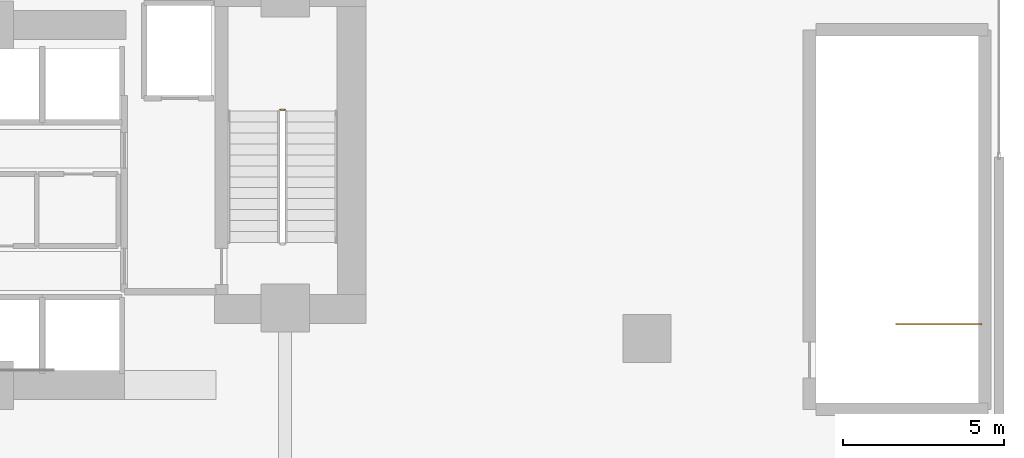
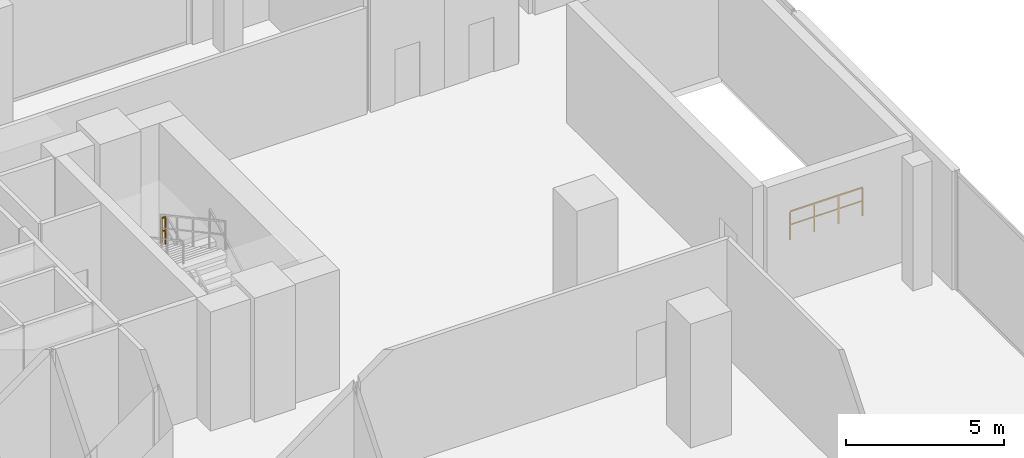
# One storey, part 27 of 28: 2 railings.
"""IFC4 building model written with IfcOpenShell, lengths in metres."""

from ifc_helpers import new_model, si_unit, direction, frame, origin, origin_2d, place, context, subcontext, project, spatial, rectangle, extrude, material, type_object, element, save


model = new_model("IFC4")

# Units and contexts
model_context = context("Model", 3, precision=1e-05, world=origin(), true_north=direction((0.0, 1.0)))
body_context = subcontext(model_context, "Body", "Model", "MODEL_VIEW")
ifc_project = project(units=[si_unit("LENGTHUNIT", "METRE"), si_unit("AREAUNIT", "SQUARE_METRE"), si_unit("VOLUMEUNIT", "CUBIC_METRE"), si_unit("PLANEANGLEUNIT", "RADIAN"), si_unit("MASSUNIT", "GRAM", prefix="KILO")], contexts=[model_context])

# Site, building, storey
site_placement = place(None, origin())
site = spatial("IfcSite", under=ifc_project, at=site_placement, CompositionType="ELEMENT")
building_placement = place(site_placement, origin())
building = spatial("IfcBuilding", under=site, at=building_placement, Name="Zuhayl Quay Hotel", CompositionType="ELEMENT")
storey_placement = place(building_placement, frame((0.0, 0.0, 22.800048828125)))
storey = spatial("IfcBuildingStorey", under=building, at=storey_placement, Name="L04", CompositionType="ELEMENT", Elevation=22.800048828125)

# Railings
ifc_material = material(Name="Steel ASTM A992 Grade 50", Category="steel")
railing_type = type_object("IfcRailingType", Name="RL_GUARD_1100", PredefinedType="GUARDRAIL", material=ifc_material)
railing_1_placement = place(storey_placement, frame((13.7900390625, 10.719970703125, 2.39990234375)))
element("IfcRailing", 1, at=railing_1_placement, inside=storey, type_object=railing_type, Name="L04 ST2 stair guard 2", PredefinedType="GUARDRAIL", context=body_context, shape_type="SweptSolid", body=[
    extrude(rectangle(XDim=0.048095703125, YDim=0.048095703125, at=origin_2d()), frame((0.0, 0.0, 1.09619140625), z_axis=(-1.0, 0.0, 0.0), x_axis=(0.0, -1.0, 0.0)), (0.0, 0.0, 1.0), 0.150146484375),
    extrude(rectangle(XDim=0.0361328125, YDim=0.0361328125, at=origin_2d()), frame((0.0, 0.0, 0.58251953125), z_axis=(-1.0, 0.0, 0.0), x_axis=(0.0, -1.0, 0.0)), (0.0, 0.0, 1.0), 0.150146484375),
    extrude(rectangle(XDim=0.0419921875, YDim=0.0419921875, at=origin_2d()), origin(), (0.0, 0.0, 1.0), 1.072021484375),
    extrude(rectangle(XDim=0.0419921875, YDim=0.0419921875, at=origin_2d()), frame((-0.150146484375, 0.0, 0.0)), (0.0, 0.0, 1.0), 1.072021484375),
])
railing_2_placement = place(storey_placement, frame((35.449951171875, 4.050048828125, 0.0)))
element("IfcRailing", 2, at=railing_2_placement, inside=storey, type_object=railing_type, Name="L04 ST4 top well guard 1", PredefinedType="GUARDRAIL", context=body_context, shape_type="SweptSolid", body=[
    extrude(rectangle(XDim=0.048095703125, YDim=0.048095703125, at=origin_2d()), frame((0.0, 0.0, 1.09619140625), z_axis=(-1.0, 0.0, 0.0), x_axis=(0.0, -1.0, 0.0)), (0.0, 0.0, 1.0), 2.64990234375),
    extrude(rectangle(XDim=0.0361328125, YDim=0.0361328125, at=origin_2d()), frame((0.0, 0.0, 0.58251953125), z_axis=(-1.0, 0.0, 0.0), x_axis=(0.0, -1.0, 0.0)), (0.0, 0.0, 1.0), 2.64990234375),
    extrude(rectangle(XDim=0.0419921875, YDim=0.0419921875, at=origin_2d()), origin(), (0.0, 0.0, 1.0), 1.072021484375),
    extrude(rectangle(XDim=0.0419921875, YDim=0.0419921875, at=origin_2d()), frame((-0.88330078125, 0.0, 0.0)), (0.0, 0.0, 1.0), 1.072021484375),
    extrude(rectangle(XDim=0.0419921875, YDim=0.0419921875, at=origin_2d()), frame((-1.7666015625, 0.0, 0.0)), (0.0, 0.0, 1.0), 1.072021484375),
    extrude(rectangle(XDim=0.0419921875, YDim=0.0419921875, at=origin_2d()), frame((-2.64990234375, 0.0, 0.0)), (0.0, 0.0, 1.0), 1.072021484375),
])

save(model, "model.ifc")
